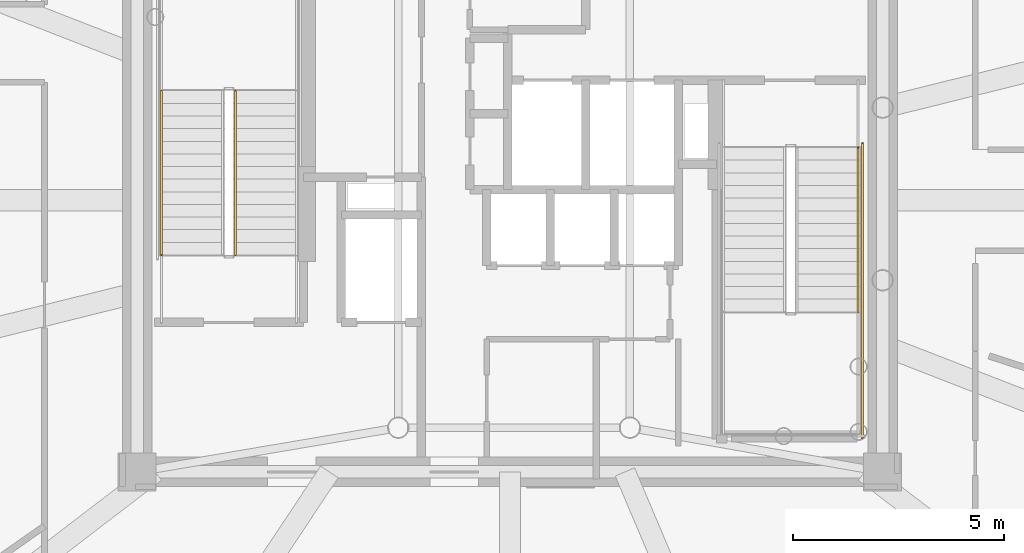
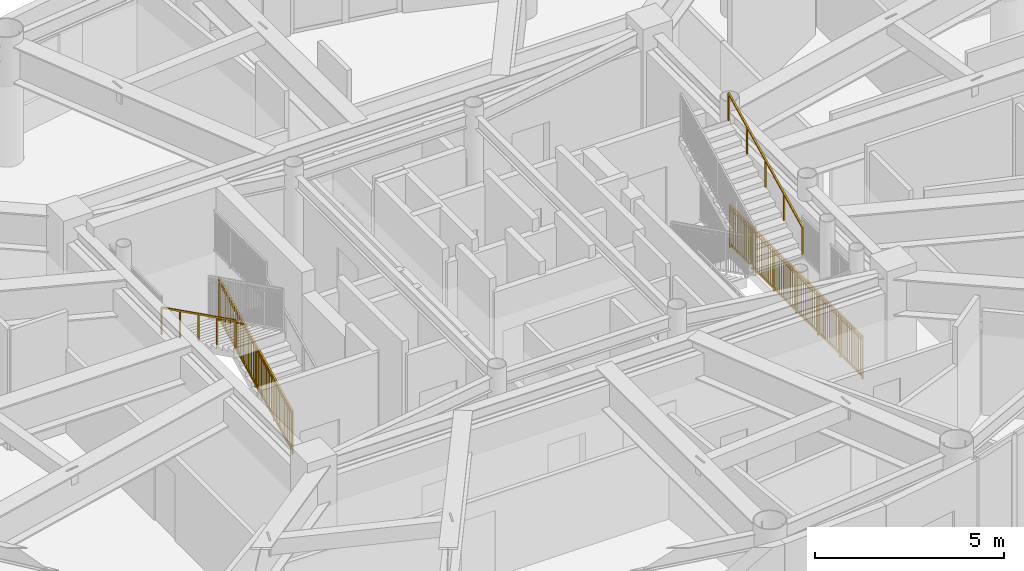
# One storey, part 23 of 26: 4 railings.
"""IFC4 building model written with IfcOpenShell, lengths in metres."""

from ifc_helpers import new_model, si_unit, direction, frame, origin, origin_2d, place, context, subcontext, project, spatial, rectangle, extrude, source, transform, mapped, material, type_object, element, save


model = new_model("IFC4")

# Units and contexts
model_context = context("Model", 3, precision=1e-05, world=origin(), true_north=direction((0.0, 1.0)))
body_context = subcontext(model_context, "Body", "Model", "MODEL_VIEW")
ifc_project = project(units=[si_unit("LENGTHUNIT", "METRE"), si_unit("AREAUNIT", "SQUARE_METRE"), si_unit("VOLUMEUNIT", "CUBIC_METRE"), si_unit("PLANEANGLEUNIT", "RADIAN"), si_unit("MASSUNIT", "GRAM", prefix="KILO")], contexts=[model_context])

# Site, building, storey
site_placement = place(None, origin())
site = spatial("IfcSite", under=ifc_project, at=site_placement, CompositionType="ELEMENT")
building_placement = place(site_placement, origin())
building = spatial("IfcBuilding", under=site, at=building_placement, Name="Linh Dai School and Residence Tower", CompositionType="ELEMENT")
storey_placement = place(building_placement, frame((0.0, 0.0, 346.800048828125)))
storey = spatial("IfcBuildingStorey", under=building, at=storey_placement, Name="L86", CompositionType="ELEMENT", Elevation=346.800048828125)

# Railings
ifc_material_1 = material(Name="Brushed Stainless Steel Handrail", Category="steel")
railing_type_1 = type_object("IfcRailingType", Name="RL-ST-HANDRAIL-900", PredefinedType="HANDRAIL", material=ifc_material_1)
shared_shape_1 = source(origin(), body_context, "Body", "SweptSolid", [
    extrude(rectangle(XDim=0.048095703125, YDim=0.048095703125, at=origin_2d()), frame((0.0, 0.0, 0.8759765625), z_axis=(0.0, -0.894438388696, 0.447191199406), x_axis=(1.0, 0.0, 0.0)), (0.0, 0.0, 1.0), 4.3603515625),
    extrude(rectangle(XDim=0.0419921875, YDim=0.0419921875, at=origin_2d()), origin(), (0.0, 0.0, 1.0), 0.8759765625),
    extrude(rectangle(XDim=0.0419921875, YDim=0.0419921875, at=origin_2d()), frame((0.0, -0.97509765625, 0.487548828125)), (0.0, 0.0, 1.0), 0.8759765625),
    extrude(rectangle(XDim=0.0419921875, YDim=0.0419921875, at=origin_2d()), frame((0.0, -1.9501953125, 0.97509765625)), (0.0, 0.0, 1.0), 0.8759765625),
    extrude(rectangle(XDim=0.0419921875, YDim=0.0419921875, at=origin_2d()), frame((0.0, -2.925048828125, 1.46240234375)), (0.0, 0.0, 1.0), 0.8759765625),
    extrude(rectangle(XDim=0.0419921875, YDim=0.0419921875, at=origin_2d()), frame((0.0, -3.900146484375, 1.949951171875)), (0.0, 0.0, 1.0), 0.8759765625),
])
railing_1_placement = place(storey_placement, frame((27.72998046875, 29.60009765625, 2.25)))
element("IfcRailing", 1, at=railing_1_placement, inside=storey, type_object=railing_type_1, Name="L86 ST1 stair handrail 2", PredefinedType="HANDRAIL", context=body_context, shape_type="MappedRepresentation", body=[
    mapped(shared_shape_1, transform((0.0, 0.0, 0.0), x_axis=(1.0, 0.0, 0.0), y_axis=(0.0, 1.0, 0.0), z_axis=(0.0, 0.0, 1.0), scale=1.0)),
])
ifc_material_2 = material(Name="Structural Steel S355JR", Category="steel")
railing_type_2 = type_object("IfcRailingType", Name="RL-ST-GUARD-1400", PredefinedType="GUARDRAIL", material=ifc_material_2)
shared_shape_2 = source(origin(), body_context, "Body", "SweptSolid", [
    extrude(rectangle(XDim=0.048095703125, YDim=0.048095703125, at=origin_2d()), frame((0.0, 0.0, 1.3759765625), z_axis=(0.0, 0.894438388696, 0.447191199406), x_axis=(-1.0, 0.0, 0.0)), (0.0, 0.0, 1.0), 4.3603515625),
    extrude(rectangle(XDim=0.048095703125, YDim=0.048095703125, at=origin_2d()), frame((0.0, 0.0, 0.10009765625), z_axis=(0.0, 0.894438388696, 0.447191199406), x_axis=(-1.0, 0.0, 0.0)), (0.0, 0.0, 1.0), 4.3603515625),
    extrude(rectangle(XDim=0.030029296875, YDim=0.030029296875, at=origin_2d()), frame((0.0, 0.0, 1.239990234375), z_axis=(0.0, 0.894438388696, 0.447191199406), x_axis=(-1.0, 0.0, 0.0)), (0.0, 0.0, 1.0), 4.3603515625),
    extrude(rectangle(XDim=0.02001953125, YDim=0.02001953125, at=origin_2d()), frame((0.0, 0.086669921875, 0.143310546875)), (0.0, 0.0, 1.0), 1.251708984375),
    extrude(rectangle(XDim=0.02001953125, YDim=0.02001953125, at=origin_2d()), frame((0.0, 0.17333984375, 0.186767578125)), (0.0, 0.0, 1.0), 1.251708984375),
    extrude(rectangle(XDim=0.02001953125, YDim=0.02001953125, at=origin_2d()), frame((0.0, 0.260009765625, 0.22998046875)), (0.0, 0.0, 1.0), 1.251708984375),
    extrude(rectangle(XDim=0.02001953125, YDim=0.02001953125, at=origin_2d()), frame((0.0, 0.3466796875, 0.2734375)), (0.0, 0.0, 1.0), 1.251708984375),
    extrude(rectangle(XDim=0.02001953125, YDim=0.02001953125, at=origin_2d()), frame((0.0, 0.433349609375, 0.316650390625)), (0.0, 0.0, 1.0), 1.251708984375),
    extrude(rectangle(XDim=0.02001953125, YDim=0.02001953125, at=origin_2d()), frame((0.0, 0.52001953125, 0.360107421875)), (0.0, 0.0, 1.0), 1.251708984375),
    extrude(rectangle(XDim=0.02001953125, YDim=0.02001953125, at=origin_2d()), frame((0.0, 0.606689453125, 0.4033203125)), (0.0, 0.0, 1.0), 1.251708984375),
    extrude(rectangle(XDim=0.02001953125, YDim=0.02001953125, at=origin_2d()), frame((0.0, 0.693359375, 0.44677734375)), (0.0, 0.0, 1.0), 1.251708984375),
    extrude(rectangle(XDim=0.02001953125, YDim=0.02001953125, at=origin_2d()), frame((0.0, 0.780029296875, 0.489990234375)), (0.0, 0.0, 1.0), 1.251708984375),
    extrude(rectangle(XDim=0.02001953125, YDim=0.02001953125, at=origin_2d()), frame((0.0, 0.86669921875, 0.533447265625)), (0.0, 0.0, 1.0), 1.251708984375),
    extrude(rectangle(XDim=0.02001953125, YDim=0.02001953125, at=origin_2d()), frame((0.0, 1.0400390625, 0.6201171875)), (0.0, 0.0, 1.0), 1.251708984375),
    extrude(rectangle(XDim=0.02001953125, YDim=0.02001953125, at=origin_2d()), frame((0.0, 1.126708984375, 0.663330078125)), (0.0, 0.0, 1.0), 1.251708984375),
    extrude(rectangle(XDim=0.02001953125, YDim=0.02001953125, at=origin_2d()), frame((0.0, 1.21337890625, 0.706787109375)), (0.0, 0.0, 1.0), 1.251708984375),
    extrude(rectangle(XDim=0.02001953125, YDim=0.02001953125, at=origin_2d()), frame((0.0, 1.300048828125, 0.75)), (0.0, 0.0, 1.0), 1.251708984375),
    extrude(rectangle(XDim=0.02001953125, YDim=0.02001953125, at=origin_2d()), frame((0.0, 1.38671875, 0.79345703125)), (0.0, 0.0, 1.0), 1.251708984375),
    extrude(rectangle(XDim=0.02001953125, YDim=0.02001953125, at=origin_2d()), frame((0.0, 1.473388671875, 0.836669921875)), (0.0, 0.0, 1.0), 1.251708984375),
    extrude(rectangle(XDim=0.02001953125, YDim=0.02001953125, at=origin_2d()), frame((0.0, 1.56005859375, 0.880126953125)), (0.0, 0.0, 1.0), 1.251708984375),
    extrude(rectangle(XDim=0.02001953125, YDim=0.02001953125, at=origin_2d()), frame((0.0, 1.646728515625, 0.92333984375)), (0.0, 0.0, 1.0), 1.251708984375),
    extrude(rectangle(XDim=0.02001953125, YDim=0.02001953125, at=origin_2d()), frame((0.0, 1.7333984375, 0.966796875)), (0.0, 0.0, 1.0), 1.251708984375),
    extrude(rectangle(XDim=0.02001953125, YDim=0.02001953125, at=origin_2d()), frame((0.0, 1.820068359375, 1.010009765625)), (0.0, 0.0, 1.0), 1.251708984375),
    extrude(rectangle(XDim=0.02001953125, YDim=0.02001953125, at=origin_2d()), frame((0.0, 1.90673828125, 1.053466796875)), (0.0, 0.0, 1.0), 1.251708984375),
    extrude(rectangle(XDim=0.02001953125, YDim=0.02001953125, at=origin_2d()), frame((0.0, 1.993408203125, 1.0966796875)), (0.0, 0.0, 1.0), 1.251708984375),
    extrude(rectangle(XDim=0.02001953125, YDim=0.02001953125, at=origin_2d()), frame((0.0, 2.080078125, 1.14013671875)), (0.0, 0.0, 1.0), 1.251708984375),
    extrude(rectangle(XDim=0.02001953125, YDim=0.02001953125, at=origin_2d()), frame((0.0, 2.166748046875, 1.183349609375)), (0.0, 0.0, 1.0), 1.251708984375),
    extrude(rectangle(XDim=0.02001953125, YDim=0.02001953125, at=origin_2d()), frame((0.0, 2.25341796875, 1.226806640625)), (0.0, 0.0, 1.0), 1.251708984375),
    extrude(rectangle(XDim=0.02001953125, YDim=0.02001953125, at=origin_2d()), frame((0.0, 2.340087890625, 1.27001953125)), (0.0, 0.0, 1.0), 1.251708984375),
    extrude(rectangle(XDim=0.02001953125, YDim=0.02001953125, at=origin_2d()), frame((0.0, 2.4267578125, 1.3134765625)), (0.0, 0.0, 1.0), 1.251708984375),
    extrude(rectangle(XDim=0.02001953125, YDim=0.02001953125, at=origin_2d()), frame((0.0, 2.513427734375, 1.356689453125)), (0.0, 0.0, 1.0), 1.251708984375),
    extrude(rectangle(XDim=0.02001953125, YDim=0.02001953125, at=origin_2d()), frame((0.0, 2.60009765625, 1.400146484375)), (0.0, 0.0, 1.0), 1.251708984375),
    extrude(rectangle(XDim=0.02001953125, YDim=0.02001953125, at=origin_2d()), frame((0.0, 2.686767578125, 1.443359375)), (0.0, 0.0, 1.0), 1.251708984375),
    extrude(rectangle(XDim=0.02001953125, YDim=0.02001953125, at=origin_2d()), frame((0.0, 2.7734375, 1.48681640625)), (0.0, 0.0, 1.0), 1.251708984375),
    extrude(rectangle(XDim=0.02001953125, YDim=0.02001953125, at=origin_2d()), frame((0.0, 2.860107421875, 1.530029296875)), (0.0, 0.0, 1.0), 1.251708984375),
    extrude(rectangle(XDim=0.02001953125, YDim=0.02001953125, at=origin_2d()), frame((0.0, 3.033447265625, 1.61669921875)), (0.0, 0.0, 1.0), 1.251708984375),
    extrude(rectangle(XDim=0.02001953125, YDim=0.02001953125, at=origin_2d()), frame((0.0, 3.1201171875, 1.66015625)), (0.0, 0.0, 1.0), 1.251708984375),
    extrude(rectangle(XDim=0.02001953125, YDim=0.02001953125, at=origin_2d()), frame((0.0, 3.206787109375, 1.703369140625)), (0.0, 0.0, 1.0), 1.251708984375),
    extrude(rectangle(XDim=0.02001953125, YDim=0.02001953125, at=origin_2d()), frame((0.0, 3.29345703125, 1.746826171875)), (0.0, 0.0, 1.0), 1.251708984375),
    extrude(rectangle(XDim=0.02001953125, YDim=0.02001953125, at=origin_2d()), frame((0.0, 3.380126953125, 1.7900390625)), (0.0, 0.0, 1.0), 1.251708984375),
    extrude(rectangle(XDim=0.02001953125, YDim=0.02001953125, at=origin_2d()), frame((0.0, 3.466796875, 1.83349609375)), (0.0, 0.0, 1.0), 1.251708984375),
    extrude(rectangle(XDim=0.02001953125, YDim=0.02001953125, at=origin_2d()), frame((0.0, 3.553466796875, 1.876708984375)), (0.0, 0.0, 1.0), 1.251708984375),
    extrude(rectangle(XDim=0.02001953125, YDim=0.02001953125, at=origin_2d()), frame((0.0, 3.64013671875, 1.920166015625)), (0.0, 0.0, 1.0), 1.251708984375),
    extrude(rectangle(XDim=0.02001953125, YDim=0.02001953125, at=origin_2d()), frame((0.0, 3.726806640625, 1.96337890625)), (0.0, 0.0, 1.0), 1.251708984375),
    extrude(rectangle(XDim=0.02001953125, YDim=0.02001953125, at=origin_2d()), frame((0.0, 3.8134765625, 2.0068359375)), (0.0, 0.0, 1.0), 1.251708984375),
    extrude(rectangle(XDim=0.0419921875, YDim=0.0419921875, at=origin_2d()), origin(), (0.0, 0.0, 1.0), 1.3759765625),
    extrude(rectangle(XDim=0.0419921875, YDim=0.0419921875, at=origin_2d()), frame((0.0, 0.97509765625, 0.487548828125)), (0.0, 0.0, 1.0), 1.3759765625),
    extrude(rectangle(XDim=0.0419921875, YDim=0.0419921875, at=origin_2d()), frame((0.0, 1.9501953125, 0.97509765625)), (0.0, 0.0, 1.0), 1.3759765625),
    extrude(rectangle(XDim=0.0419921875, YDim=0.0419921875, at=origin_2d()), frame((0.0, 2.925048828125, 1.46240234375)), (0.0, 0.0, 1.0), 1.3759765625),
    extrude(rectangle(XDim=0.0419921875, YDim=0.0419921875, at=origin_2d()), frame((0.0, 3.900146484375, 1.949951171875)), (0.0, 0.0, 1.0), 1.3759765625),
])
railing_2_placement = place(storey_placement, frame((29.47998046875, 25.699951171875, 0.14990234375)))
element("IfcRailing", 2, at=railing_2_placement, inside=storey, type_object=railing_type_2, Name="L86 ST1 stair guard 1", PredefinedType="GUARDRAIL", context=body_context, shape_type="MappedRepresentation", body=[
    mapped(shared_shape_2, transform((0.0, 0.0, 0.0), x_axis=(1.0, 0.0, 0.0), y_axis=(0.0, 1.0, 0.0), z_axis=(0.0, 0.0, 1.0), scale=1.0)),
])
shared_shape_3 = source(origin(), body_context, "Body", "SweptSolid", [
    extrude(rectangle(XDim=0.048095703125, YDim=0.048095703125, at=origin_2d()), frame((0.0, 0.0, 1.3759765625), z_axis=(0.0, -1.0, 0.0), x_axis=(1.0, 0.0, 0.0)), (0.0, 0.0, 1.0), 7.0),
    extrude(rectangle(XDim=0.048095703125, YDim=0.048095703125, at=origin_2d()), frame((0.0, 0.0, 0.10009765625), z_axis=(0.0, -1.0, 0.0), x_axis=(1.0, 0.0, 0.0)), (0.0, 0.0, 1.0), 7.0),
    extrude(rectangle(XDim=0.030029296875, YDim=0.030029296875, at=origin_2d()), frame((0.0, 0.0, 1.239990234375), z_axis=(0.0, -1.0, 0.0), x_axis=(1.0, 0.0, 0.0)), (0.0, 0.0, 1.0), 7.0),
    extrude(rectangle(XDim=0.02001953125, YDim=0.02001953125, at=origin_2d()), frame((0.0, -0.09716796875, 0.10009765625)), (0.0, 0.0, 1.0), 1.251708984375),
    extrude(rectangle(XDim=0.02001953125, YDim=0.02001953125, at=origin_2d()), frame((0.0, -0.1943359375, 0.10009765625)), (0.0, 0.0, 1.0), 1.251708984375),
    extrude(rectangle(XDim=0.02001953125, YDim=0.02001953125, at=origin_2d()), frame((0.0, -0.291748046875, 0.10009765625)), (0.0, 0.0, 1.0), 1.251708984375),
    extrude(rectangle(XDim=0.02001953125, YDim=0.02001953125, at=origin_2d()), frame((0.0, -0.388916015625, 0.10009765625)), (0.0, 0.0, 1.0), 1.251708984375),
    extrude(rectangle(XDim=0.02001953125, YDim=0.02001953125, at=origin_2d()), frame((0.0, -0.486083984375, 0.10009765625)), (0.0, 0.0, 1.0), 1.251708984375),
    extrude(rectangle(XDim=0.02001953125, YDim=0.02001953125, at=origin_2d()), frame((0.0, -0.583251953125, 0.10009765625)), (0.0, 0.0, 1.0), 1.251708984375),
    extrude(rectangle(XDim=0.02001953125, YDim=0.02001953125, at=origin_2d()), frame((0.0, -0.6806640625, 0.10009765625)), (0.0, 0.0, 1.0), 1.251708984375),
    extrude(rectangle(XDim=0.02001953125, YDim=0.02001953125, at=origin_2d()), frame((0.0, -0.77783203125, 0.10009765625)), (0.0, 0.0, 1.0), 1.251708984375),
    extrude(rectangle(XDim=0.02001953125, YDim=0.02001953125, at=origin_2d()), frame((0.0, -0.875, 0.10009765625)), (0.0, 0.0, 1.0), 1.251708984375),
    extrude(rectangle(XDim=0.02001953125, YDim=0.02001953125, at=origin_2d()), frame((0.0, -0.97216796875, 0.10009765625)), (0.0, 0.0, 1.0), 1.251708984375),
    extrude(rectangle(XDim=0.02001953125, YDim=0.02001953125, at=origin_2d()), frame((0.0, -1.0693359375, 0.10009765625)), (0.0, 0.0, 1.0), 1.251708984375),
    extrude(rectangle(XDim=0.02001953125, YDim=0.02001953125, at=origin_2d()), frame((0.0, -1.263916015625, 0.10009765625)), (0.0, 0.0, 1.0), 1.251708984375),
    extrude(rectangle(XDim=0.02001953125, YDim=0.02001953125, at=origin_2d()), frame((0.0, -1.361083984375, 0.10009765625)), (0.0, 0.0, 1.0), 1.251708984375),
    extrude(rectangle(XDim=0.02001953125, YDim=0.02001953125, at=origin_2d()), frame((0.0, -1.458251953125, 0.10009765625)), (0.0, 0.0, 1.0), 1.251708984375),
    extrude(rectangle(XDim=0.02001953125, YDim=0.02001953125, at=origin_2d()), frame((0.0, -1.5556640625, 0.10009765625)), (0.0, 0.0, 1.0), 1.251708984375),
    extrude(rectangle(XDim=0.02001953125, YDim=0.02001953125, at=origin_2d()), frame((0.0, -1.65283203125, 0.10009765625)), (0.0, 0.0, 1.0), 1.251708984375),
    extrude(rectangle(XDim=0.02001953125, YDim=0.02001953125, at=origin_2d()), frame((0.0, -1.75, 0.10009765625)), (0.0, 0.0, 1.0), 1.251708984375),
    extrude(rectangle(XDim=0.02001953125, YDim=0.02001953125, at=origin_2d()), frame((0.0, -1.84716796875, 0.10009765625)), (0.0, 0.0, 1.0), 1.251708984375),
    extrude(rectangle(XDim=0.02001953125, YDim=0.02001953125, at=origin_2d()), frame((0.0, -1.9443359375, 0.10009765625)), (0.0, 0.0, 1.0), 1.251708984375),
    extrude(rectangle(XDim=0.02001953125, YDim=0.02001953125, at=origin_2d()), frame((0.0, -2.041748046875, 0.10009765625)), (0.0, 0.0, 1.0), 1.251708984375),
    extrude(rectangle(XDim=0.02001953125, YDim=0.02001953125, at=origin_2d()), frame((0.0, -2.138916015625, 0.10009765625)), (0.0, 0.0, 1.0), 1.251708984375),
    extrude(rectangle(XDim=0.02001953125, YDim=0.02001953125, at=origin_2d()), frame((0.0, -2.236083984375, 0.10009765625)), (0.0, 0.0, 1.0), 1.251708984375),
    extrude(rectangle(XDim=0.02001953125, YDim=0.02001953125, at=origin_2d()), frame((0.0, -2.4306640625, 0.10009765625)), (0.0, 0.0, 1.0), 1.251708984375),
    extrude(rectangle(XDim=0.02001953125, YDim=0.02001953125, at=origin_2d()), frame((0.0, -2.52783203125, 0.10009765625)), (0.0, 0.0, 1.0), 1.251708984375),
    extrude(rectangle(XDim=0.02001953125, YDim=0.02001953125, at=origin_2d()), frame((0.0, -2.625, 0.10009765625)), (0.0, 0.0, 1.0), 1.251708984375),
    extrude(rectangle(XDim=0.02001953125, YDim=0.02001953125, at=origin_2d()), frame((0.0, -2.72216796875, 0.10009765625)), (0.0, 0.0, 1.0), 1.251708984375),
    extrude(rectangle(XDim=0.02001953125, YDim=0.02001953125, at=origin_2d()), frame((0.0, -2.8193359375, 0.10009765625)), (0.0, 0.0, 1.0), 1.251708984375),
    extrude(rectangle(XDim=0.02001953125, YDim=0.02001953125, at=origin_2d()), frame((0.0, -2.916748046875, 0.10009765625)), (0.0, 0.0, 1.0), 1.251708984375),
    extrude(rectangle(XDim=0.02001953125, YDim=0.02001953125, at=origin_2d()), frame((0.0, -3.013916015625, 0.10009765625)), (0.0, 0.0, 1.0), 1.251708984375),
    extrude(rectangle(XDim=0.02001953125, YDim=0.02001953125, at=origin_2d()), frame((0.0, -3.111083984375, 0.10009765625)), (0.0, 0.0, 1.0), 1.251708984375),
    extrude(rectangle(XDim=0.02001953125, YDim=0.02001953125, at=origin_2d()), frame((0.0, -3.208251953125, 0.10009765625)), (0.0, 0.0, 1.0), 1.251708984375),
    extrude(rectangle(XDim=0.02001953125, YDim=0.02001953125, at=origin_2d()), frame((0.0, -3.3056640625, 0.10009765625)), (0.0, 0.0, 1.0), 1.251708984375),
    extrude(rectangle(XDim=0.02001953125, YDim=0.02001953125, at=origin_2d()), frame((0.0, -3.40283203125, 0.10009765625)), (0.0, 0.0, 1.0), 1.251708984375),
    extrude(rectangle(XDim=0.02001953125, YDim=0.02001953125, at=origin_2d()), frame((0.0, -3.59716796875, 0.10009765625)), (0.0, 0.0, 1.0), 1.251708984375),
    extrude(rectangle(XDim=0.02001953125, YDim=0.02001953125, at=origin_2d()), frame((0.0, -3.6943359375, 0.10009765625)), (0.0, 0.0, 1.0), 1.251708984375),
    extrude(rectangle(XDim=0.02001953125, YDim=0.02001953125, at=origin_2d()), frame((0.0, -3.791748046875, 0.10009765625)), (0.0, 0.0, 1.0), 1.251708984375),
    extrude(rectangle(XDim=0.02001953125, YDim=0.02001953125, at=origin_2d()), frame((0.0, -3.888916015625, 0.10009765625)), (0.0, 0.0, 1.0), 1.251708984375),
    extrude(rectangle(XDim=0.02001953125, YDim=0.02001953125, at=origin_2d()), frame((0.0, -3.986083984375, 0.10009765625)), (0.0, 0.0, 1.0), 1.251708984375),
    extrude(rectangle(XDim=0.02001953125, YDim=0.02001953125, at=origin_2d()), frame((0.0, -4.083251953125, 0.10009765625)), (0.0, 0.0, 1.0), 1.251708984375),
    extrude(rectangle(XDim=0.02001953125, YDim=0.02001953125, at=origin_2d()), frame((0.0, -4.1806640625, 0.10009765625)), (0.0, 0.0, 1.0), 1.251708984375),
    extrude(rectangle(XDim=0.02001953125, YDim=0.02001953125, at=origin_2d()), frame((0.0, -4.27783203125, 0.10009765625)), (0.0, 0.0, 1.0), 1.251708984375),
    extrude(rectangle(XDim=0.02001953125, YDim=0.02001953125, at=origin_2d()), frame((0.0, -4.375, 0.10009765625)), (0.0, 0.0, 1.0), 1.251708984375),
    extrude(rectangle(XDim=0.02001953125, YDim=0.02001953125, at=origin_2d()), frame((0.0, -4.47216796875, 0.10009765625)), (0.0, 0.0, 1.0), 1.251708984375),
    extrude(rectangle(XDim=0.02001953125, YDim=0.02001953125, at=origin_2d()), frame((0.0, -4.5693359375, 0.10009765625)), (0.0, 0.0, 1.0), 1.251708984375),
    extrude(rectangle(XDim=0.02001953125, YDim=0.02001953125, at=origin_2d()), frame((0.0, -4.763916015625, 0.10009765625)), (0.0, 0.0, 1.0), 1.251708984375),
    extrude(rectangle(XDim=0.02001953125, YDim=0.02001953125, at=origin_2d()), frame((0.0, -4.861083984375, 0.10009765625)), (0.0, 0.0, 1.0), 1.251708984375),
    extrude(rectangle(XDim=0.02001953125, YDim=0.02001953125, at=origin_2d()), frame((0.0, -4.958251953125, 0.10009765625)), (0.0, 0.0, 1.0), 1.251708984375),
    extrude(rectangle(XDim=0.02001953125, YDim=0.02001953125, at=origin_2d()), frame((0.0, -5.0556640625, 0.10009765625)), (0.0, 0.0, 1.0), 1.251708984375),
    extrude(rectangle(XDim=0.02001953125, YDim=0.02001953125, at=origin_2d()), frame((0.0, -5.15283203125, 0.10009765625)), (0.0, 0.0, 1.0), 1.251708984375),
    extrude(rectangle(XDim=0.02001953125, YDim=0.02001953125, at=origin_2d()), frame((0.0, -5.25, 0.10009765625)), (0.0, 0.0, 1.0), 1.251708984375),
    extrude(rectangle(XDim=0.02001953125, YDim=0.02001953125, at=origin_2d()), frame((0.0, -5.34716796875, 0.10009765625)), (0.0, 0.0, 1.0), 1.251708984375),
    extrude(rectangle(XDim=0.02001953125, YDim=0.02001953125, at=origin_2d()), frame((0.0, -5.4443359375, 0.10009765625)), (0.0, 0.0, 1.0), 1.251708984375),
    extrude(rectangle(XDim=0.02001953125, YDim=0.02001953125, at=origin_2d()), frame((0.0, -5.541748046875, 0.10009765625)), (0.0, 0.0, 1.0), 1.251708984375),
    extrude(rectangle(XDim=0.02001953125, YDim=0.02001953125, at=origin_2d()), frame((0.0, -5.638916015625, 0.10009765625)), (0.0, 0.0, 1.0), 1.251708984375),
    extrude(rectangle(XDim=0.02001953125, YDim=0.02001953125, at=origin_2d()), frame((0.0, -5.736083984375, 0.10009765625)), (0.0, 0.0, 1.0), 1.251708984375),
    extrude(rectangle(XDim=0.02001953125, YDim=0.02001953125, at=origin_2d()), frame((0.0, -5.9306640625, 0.10009765625)), (0.0, 0.0, 1.0), 1.251708984375),
    extrude(rectangle(XDim=0.02001953125, YDim=0.02001953125, at=origin_2d()), frame((0.0, -6.02783203125, 0.10009765625)), (0.0, 0.0, 1.0), 1.251708984375),
    extrude(rectangle(XDim=0.02001953125, YDim=0.02001953125, at=origin_2d()), frame((0.0, -6.125, 0.10009765625)), (0.0, 0.0, 1.0), 1.251708984375),
    extrude(rectangle(XDim=0.02001953125, YDim=0.02001953125, at=origin_2d()), frame((0.0, -6.22216796875, 0.10009765625)), (0.0, 0.0, 1.0), 1.251708984375),
    extrude(rectangle(XDim=0.02001953125, YDim=0.02001953125, at=origin_2d()), frame((0.0, -6.3193359375, 0.10009765625)), (0.0, 0.0, 1.0), 1.251708984375),
    extrude(rectangle(XDim=0.02001953125, YDim=0.02001953125, at=origin_2d()), frame((0.0, -6.416748046875, 0.10009765625)), (0.0, 0.0, 1.0), 1.251708984375),
    extrude(rectangle(XDim=0.02001953125, YDim=0.02001953125, at=origin_2d()), frame((0.0, -6.513916015625, 0.10009765625)), (0.0, 0.0, 1.0), 1.251708984375),
    extrude(rectangle(XDim=0.02001953125, YDim=0.02001953125, at=origin_2d()), frame((0.0, -6.611083984375, 0.10009765625)), (0.0, 0.0, 1.0), 1.251708984375),
    extrude(rectangle(XDim=0.02001953125, YDim=0.02001953125, at=origin_2d()), frame((0.0, -6.708251953125, 0.10009765625)), (0.0, 0.0, 1.0), 1.251708984375),
    extrude(rectangle(XDim=0.02001953125, YDim=0.02001953125, at=origin_2d()), frame((0.0, -6.8056640625, 0.10009765625)), (0.0, 0.0, 1.0), 1.251708984375),
    extrude(rectangle(XDim=0.02001953125, YDim=0.02001953125, at=origin_2d()), frame((0.0, -6.90283203125, 0.10009765625)), (0.0, 0.0, 1.0), 1.251708984375),
    extrude(rectangle(XDim=0.0419921875, YDim=0.0419921875, at=origin_2d()), origin(), (0.0, 0.0, 1.0), 1.3759765625),
    extrude(rectangle(XDim=0.0419921875, YDim=0.0419921875, at=origin_2d()), frame((0.0, -1.166748046875, 0.0)), (0.0, 0.0, 1.0), 1.3759765625),
    extrude(rectangle(XDim=0.0419921875, YDim=0.0419921875, at=origin_2d()), frame((0.0, -2.333251953125, 0.0)), (0.0, 0.0, 1.0), 1.3759765625),
    extrude(rectangle(XDim=0.0419921875, YDim=0.0419921875, at=origin_2d()), frame((0.0, -3.5, 0.0)), (0.0, 0.0, 1.0), 1.3759765625),
    extrude(rectangle(XDim=0.0419921875, YDim=0.0419921875, at=origin_2d()), frame((0.0, -4.666748046875, 0.0)), (0.0, 0.0, 1.0), 1.3759765625),
    extrude(rectangle(XDim=0.0419921875, YDim=0.0419921875, at=origin_2d()), frame((0.0, -5.833251953125, 0.0)), (0.0, 0.0, 1.0), 1.3759765625),
    extrude(rectangle(XDim=0.0419921875, YDim=0.0419921875, at=origin_2d()), frame((0.0, -7.0, 0.0)), (0.0, 0.0, 1.0), 1.3759765625),
])
railing_3_placement = place(storey_placement, frame((44.3701171875, 28.35009765625, 0.0)))
element("IfcRailing", 3, at=railing_3_placement, inside=storey, type_object=railing_type_2, Name="L86 ST2 stair guard 11", PredefinedType="GUARDRAIL", context=body_context, shape_type="MappedRepresentation", body=[
    mapped(shared_shape_3, transform((0.0, 0.0, 0.0), x_axis=(1.0, 0.0, 0.0), y_axis=(0.0, 1.0, 0.0), z_axis=(0.0, 0.0, 1.0), scale=1.0)),
])
shared_shape_4 = source(origin(), body_context, "Body", "SweptSolid", [
    extrude(rectangle(XDim=0.048095703125, YDim=0.048095703125, at=origin_2d()), frame((0.0, 0.0, 0.8759765625), z_axis=(0.0, 0.894427191, 0.4472135955), x_axis=(-1.0, 0.0, 0.0)), (0.0, 0.0, 1.0), 4.360107421875),
    extrude(rectangle(XDim=0.0419921875, YDim=0.0419921875, at=origin_2d()), origin(), (0.0, 0.0, 1.0), 0.8759765625),
    extrude(rectangle(XDim=0.0419921875, YDim=0.0419921875, at=origin_2d()), frame((0.0, 0.97509765625, 0.487548828125)), (0.0, 0.0, 1.0), 0.8759765625),
    extrude(rectangle(XDim=0.0419921875, YDim=0.0419921875, at=origin_2d()), frame((0.0, 1.949951171875, 0.97509765625)), (0.0, 0.0, 1.0), 0.8759765625),
    extrude(rectangle(XDim=0.0419921875, YDim=0.0419921875, at=origin_2d()), frame((0.0, 2.9248046875, 1.46240234375)), (0.0, 0.0, 1.0), 0.8759765625),
    extrude(rectangle(XDim=0.0419921875, YDim=0.0419921875, at=origin_2d()), frame((0.0, 3.89990234375, 1.949951171875)), (0.0, 0.0, 1.0), 0.8759765625),
])
railing_4_placement = place(storey_placement, frame((44.27001953125, 24.35009765625, 2.25)))
element("IfcRailing", 4, at=railing_4_placement, inside=storey, type_object=railing_type_1, Name="L86 ST2 stair handrail 2", PredefinedType="HANDRAIL", context=body_context, shape_type="MappedRepresentation", body=[
    mapped(shared_shape_4, transform((0.0, 0.0, 0.0), x_axis=(1.0, 0.0, 0.0), y_axis=(0.0, 1.0, 0.0), z_axis=(0.0, 0.0, 1.0), scale=1.0)),
])

save(model, "model.ifc")
